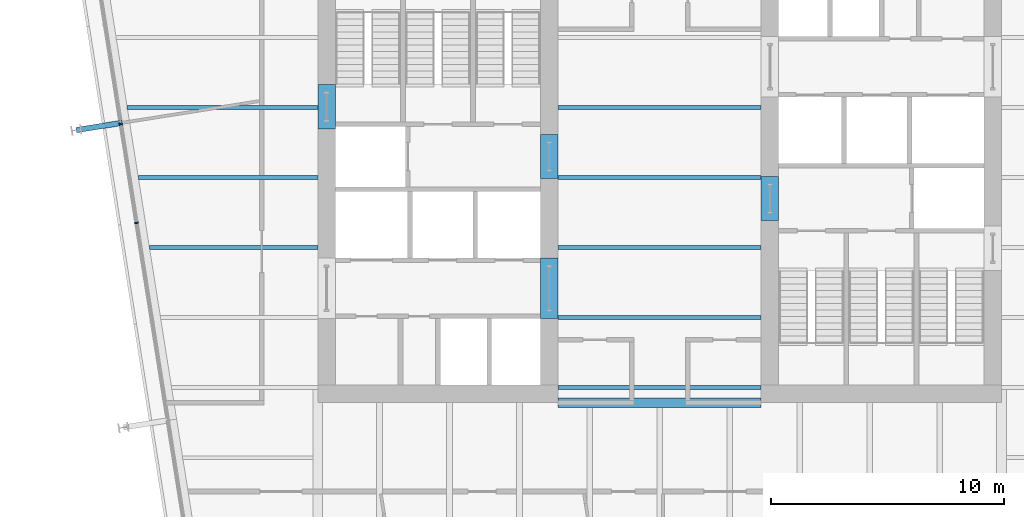
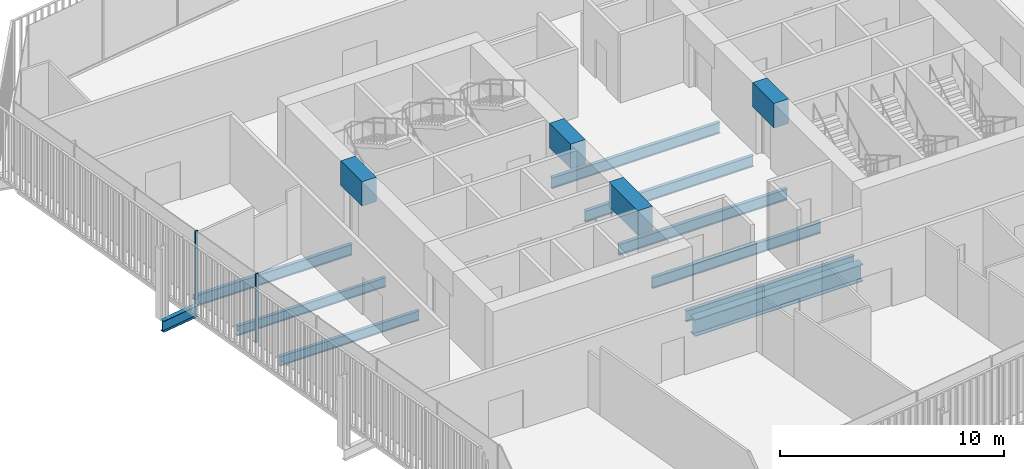
# One storey, part 6 of 21: 14 beams, 2 members, 1 element without a shape of its own.
"""IFC4 building model written with IfcOpenShell, lengths in metres."""

from ifc_helpers import new_model, si_unit, direction, frame, origin, origin_2d, place, context, subcontext, project, spatial, rectangle, i_section, extrude, material, layer, layer_set, material_profile, profile_set, type_object, element, aggregate, save


model = new_model("IFC4")

# Units and contexts
model_context = context("Model", 3, precision=1e-05, world=origin(), true_north=direction((0.0, 1.0)))
body_context = subcontext(model_context, "Body", "Model", "MODEL_VIEW")
ifc_project = project(units=[si_unit("LENGTHUNIT", "METRE"), si_unit("AREAUNIT", "SQUARE_METRE"), si_unit("VOLUMEUNIT", "CUBIC_METRE"), si_unit("PLANEANGLEUNIT", "RADIAN"), si_unit("MASSUNIT", "GRAM", prefix="KILO")], contexts=[model_context])

# Site, building, storey
site_placement = place(None, origin())
site = spatial("IfcSite", under=ifc_project, at=site_placement, CompositionType="ELEMENT")
building_placement = place(site_placement, origin())
building = spatial("IfcBuilding", under=site, at=building_placement, Name="Millrace Tower", CompositionType="ELEMENT")
storey_placement = place(building_placement, frame((0.0, 0.0, 141.199951171875)))
storey = spatial("IfcBuildingStorey", under=building, at=storey_placement, Name="L31", CompositionType="ELEMENT", Elevation=141.199951171875)

# Curtain wall, members
ifc_material_1 = material(Name="Aluminium and glass", Category="aluminium")
ifc_layer = layer(ifc_material_1, 0.14990234375)
ifc_layer_set = layer_set([ifc_layer], Name="Aluminium and glass")
curtain_wall_type = type_object("IfcCurtainWallType", Name="CW-1 office vision curtain wall", PredefinedType="NOTDEFINED", material=ifc_layer_set)
curtain_wall_placement = place(storey_placement, origin())
curtain_wall = element("IfcCurtainWall", 1, at=curtain_wall_placement, inside=storey, type_object=curtain_wall_type, Name="Curtain wall C-F08 L31", PredefinedType="NOTDEFINED")
ifc_material_2 = material(Name="Aluminium", Category="aluminium")
ifc_material_profile_1 = material_profile(ifc_material_2, rectangle(XDim=0.06494140625, YDim=0.14990234375, at=origin_2d()))
ifc_profile_set_1 = profile_set([ifc_material_profile_1], Name="Aluminium")
member_type = type_object("IfcMemberType", Name="CW-1 office vision curtain wall mullion", PredefinedType="MULLION", material=ifc_profile_set_1)
member_1_placement = place(storey_placement, frame((-23.088623046875, 2.300537109375, 0.14013671875), z_axis=(0.0, 0.0, 1.0), x_axis=(0.15643447328, -0.98768833929, 0.0)))
member_1 = element("IfcMember", 2, at=member_1_placement, type_object=member_type, Name="CW1 mullion C-F08.4", PredefinedType="MULLION", context=body_context, shape_type="SweptSolid", body=[
    extrude(rectangle(XDim=0.06494140625, YDim=0.14990234375, at=origin_2d()), origin(), (0.0, 0.0, 1.0), 3.760009765625),
])
member_2_placement = place(storey_placement, frame((-22.416015625, -1.946533203125, 0.14013671875), z_axis=(0.0, 0.0, 1.0), x_axis=(0.15643447328, -0.98768833929, 0.0)))
member_2 = element("IfcMember", 3, at=member_2_placement, type_object=member_type, Name="CW1 mullion C-F08.5", PredefinedType="MULLION", context=body_context, shape_type="SweptSolid", body=[
    extrude(rectangle(XDim=0.06494140625, YDim=0.14990234375, at=origin_2d()), origin(), (0.0, 0.0, 1.0), 3.760009765625),
])
aggregate(curtain_wall, [member_1, member_2])

# Beams
ifc_material_3 = material(Name="Concrete C70", Category="concrete")
ifc_material_profile_2 = material_profile(ifc_material_3, rectangle(XDim=0.75, YDim=1.340087890625, at=origin_2d()))
ifc_profile_set_2 = profile_set([ifc_material_profile_2], Name="Concrete C70")
beam_type_1 = type_object("IfcBeamType", Name="Coupling beam 750 x 1340 Concrete C70, 1300 opening", PredefinedType="BEAM", material=ifc_profile_set_2)
beam_1_placement = place(storey_placement, frame((-14.27490234375, 2.080078125, 3.070068359375), z_axis=(0.0, 1.0, 0.0), x_axis=(-1.0, 0.0, 0.0)))
element("IfcBeam", 4, at=beam_1_placement, inside=storey, type_object=beam_type_1, Name="Coupling beam W L31", PredefinedType="BEAM", context=body_context, shape_type="SweptSolid", body=[
    extrude(rectangle(XDim=0.75, YDim=1.340087890625, at=origin_2d()), origin(), (0.0, 0.0, 1.0), 1.89990234375),
])
for number, where, z_axis, x_axis, name in (
    (5, (-4.72509765625, -0.050048828125, 3.070068359375), (0.0, 1.0, 0.0), (-1.0, 0.0, 0.0), "Coupling beam W L31"),
    (6, (4.72509765625, 0.050048828125, 3.070068359375), (0.0, -1.0, 0.0), (1.0, 0.0, 0.0), "Coupling beam E L31"),
):
    element("IfcBeam", number, at=place(storey_placement, frame(where, z_axis=z_axis, x_axis=x_axis)), inside=storey, type_object=beam_type_1, Name=name, PredefinedType="BEAM", context=body_context, shape_type="SweptSolid", body=[
        extrude(rectangle(XDim=0.75, YDim=1.340087890625, at=origin_2d()), origin(), (0.0, 0.0, 1.0), 1.900146484375),
    ])
ifc_material_4 = material(Name="Concrete C70", Category="concrete")
ifc_material_profile_3 = material_profile(ifc_material_4, rectangle(XDim=0.75, YDim=1.340087890625, at=origin_2d()))
ifc_profile_set_3 = profile_set([ifc_material_profile_3], Name="Concrete C70")
beam_type_2 = type_object("IfcBeamType", Name="Coupling beam 750 x 1340 Concrete C70, 2000 opening", PredefinedType="BEAM", material=ifc_profile_set_3)
beam_2_placement = place(storey_placement, frame((-4.72509765625, -6.050048828125, 3.070068359375), z_axis=(0.0, 1.0, 0.0), x_axis=(-1.0, 0.0, 0.0)))
element("IfcBeam", 7, at=beam_2_placement, inside=storey, type_object=beam_type_2, Name="Coupling beam W L31", PredefinedType="BEAM", context=body_context, shape_type="SweptSolid", body=[
    extrude(rectangle(XDim=0.75, YDim=1.340087890625, at=origin_2d()), origin(), (0.0, 0.0, 1.0), 2.60009765625),
])
ifc_material_5 = material(Name="Steel ASTM A992 Grade 50", Category="steel")
ifc_material_profile_4 = material_profile(ifc_material_5, i_section(OverallWidth=0.1650390625, OverallDepth=0.52587890625, WebThickness=0.0087890625, FlangeThickness=0.011474609375, FilletRadius=0.0126953125, at=origin_2d()))
ifc_profile_set_4 = profile_set([ifc_material_profile_4], Name="Steel ASTM A992 Grade 50")
beam_type_3 = type_object("IfcBeamType", Name="Floor beam W21x44", PredefinedType="JOIST", material=ifc_profile_set_4)
beam_3_placement = place(storey_placement, frame((-21.862060546875, -3.0, -0.4228515625), z_axis=(1.0, 0.0, 0.0), x_axis=(0.0, 1.0, 0.0)))
element("IfcBeam", 8, at=beam_3_placement, inside=storey, type_object=beam_type_3, Name="BM-C-L31-S1-S017", PredefinedType="JOIST", context=body_context, shape_type="SweptSolid", body=[
    extrude(i_section(OverallWidth=0.1650390625, OverallDepth=0.52587890625, WebThickness=0.0087890625, FlangeThickness=0.011474609375, FilletRadius=0.0126953125, at=origin_2d()), origin(), (0.0, 0.0, 1.0), 7.212158203125),
])
beam_4_placement = place(storey_placement, frame((-22.337158203125, 0.0, -0.4228515625), z_axis=(1.0, 0.0, 0.0), x_axis=(0.0, 1.0, 0.0)))
element("IfcBeam", 9, at=beam_4_placement, inside=storey, type_object=beam_type_3, Name="BM-C-L31-S1-S020", PredefinedType="JOIST", context=body_context, shape_type="SweptSolid", body=[
    extrude(i_section(OverallWidth=0.1650390625, OverallDepth=0.52587890625, WebThickness=0.0087890625, FlangeThickness=0.011474609375, FilletRadius=0.0126953125, at=origin_2d()), origin(), (0.0, 0.0, 1.0), 7.687255859375),
])
ifc_material_6 = material(Name="Steel ASTM A992 Grade 50", Category="steel")
ifc_material_profile_5 = material_profile(ifc_material_6, i_section(OverallWidth=0.177978515625, OverallDepth=0.599365234375, WebThickness=0.010009765625, FlangeThickness=0.012939453125, FilletRadius=0.012939453125, at=origin_2d()))
ifc_profile_set_5 = profile_set([ifc_material_profile_5], Name="Steel ASTM A992 Grade 50")
beam_type_4 = type_object("IfcBeamType", Name="Floor beam W24x55", PredefinedType="JOIST", material=ifc_profile_set_5)
for number, where, z_axis, x_axis, name in (
    (10, (-4.35009765625, -9.0, -0.459716796875), (1.0, 0.0, 0.0), (0.0, 1.0, 0.0), "BM-C-L31-S1-S010"),
    (11, (-4.35009765625, -6.0, -0.459716796875), (1.0, 0.0, 0.0), (0.0, 1.0, 0.0), "BM-C-L31-S1-S013"),
    (12, (-4.35009765625, -3.0, -0.459716796875), (1.0, 0.0, 0.0), (0.0, 1.0, 0.0), "BM-C-L31-S1-S016"),
    (13, (-4.35009765625, 0.0, -0.459716796875), (1.0, 0.0, 0.0), (0.0, 1.0, 0.0), "BM-C-L31-S1-S019"),
    (14, (-4.35009765625, 3.0, -0.459716796875), (1.0, 0.0, 0.0), (0.0, 1.0, 0.0), "BM-C-L31-S1-S022"),
):
    element("IfcBeam", number, at=place(storey_placement, frame(where, z_axis=z_axis, x_axis=x_axis)), inside=storey, type_object=beam_type_4, Name=name, PredefinedType="JOIST", context=body_context, shape_type="SweptSolid", body=[
        extrude(i_section(OverallWidth=0.177978515625, OverallDepth=0.599365234375, WebThickness=0.010009765625, FlangeThickness=0.012939453125, FilletRadius=0.012939453125, at=origin_2d()), origin(), (0.0, 0.0, 1.0), 8.7001953125),
    ])
beam_5_placement = place(storey_placement, frame((-22.812255859375, 3.0, -0.459716796875), z_axis=(1.0, 0.0, 0.0), x_axis=(0.0, 1.0, 0.0)))
element("IfcBeam", 15, at=beam_5_placement, inside=storey, type_object=beam_type_4, Name="BM-C-L31-S1-S023", PredefinedType="JOIST", context=body_context, shape_type="SweptSolid", body=[
    extrude(i_section(OverallWidth=0.177978515625, OverallDepth=0.599365234375, WebThickness=0.010009765625, FlangeThickness=0.012939453125, FilletRadius=0.012939453125, at=origin_2d()), origin(), (0.0, 0.0, 1.0), 8.162353515625),
])
ifc_material_7 = material(Name="Steel ASTM A992 Grade 50", Category="steel")
ifc_material_profile_6 = material_profile(ifc_material_7, i_section(OverallWidth=0.419189453125, OverallDepth=0.927001953125, WebThickness=0.019287109375, FlangeThickness=0.031982421875, FilletRadius=0.024169921875, at=origin_2d()))
ifc_profile_set_6 = profile_set([ifc_material_profile_6], Name="Steel ASTM A992 Grade 50")
beam_type_5 = type_object("IfcBeamType", Name="Girder short span W36x231", PredefinedType="BEAM", material=ifc_profile_set_6)
beam_6_placement = place(storey_placement, frame((-4.35009765625, -9.64990234375, -0.62353515625), z_axis=(1.0, 0.0, 0.0), x_axis=(0.0, 1.0, 0.0)))
element("IfcBeam", 16, at=beam_6_placement, inside=storey, type_object=beam_type_5, Name="BM-C-L31-S1-G062", PredefinedType="BEAM", context=body_context, shape_type="SweptSolid", body=[
    extrude(i_section(OverallWidth=0.419189453125, OverallDepth=0.927001953125, WebThickness=0.019287109375, FlangeThickness=0.031982421875, FilletRadius=0.024169921875, at=origin_2d()), origin(), (0.0, 0.0, 1.0), 8.7001953125),
])
ifc_material_8 = material(Name="Steel ASTM A992 Grade 50", Category="steel")
ifc_material_profile_7 = material_profile(ifc_material_8, i_section(OverallWidth=0.23046875, OverallDepth=0.6171875, WebThickness=0.01318359375, FlangeThickness=0.022216796875, FilletRadius=0.012939453125, at=origin_2d()))
ifc_profile_set_7 = profile_set([ifc_material_profile_7], Name="Steel ASTM A992 Grade 50")
beam_type_6 = type_object("IfcBeamType", Name="Link beam W24x94", PredefinedType="BEAM", material=ifc_profile_set_7)
beam_7_placement = place(storey_placement, frame((-23.019775390625, 2.344482421875, -0.468505859375), z_axis=(-0.987678691416, -0.156495375404, 0.0), x_axis=(0.156495375404, -0.987678691416, 0.0)))
element("IfcBeam", 17, at=beam_7_placement, inside=storey, type_object=beam_type_6, Name="LNK-C-L31-S1-03", PredefinedType="BEAM", context=body_context, shape_type="SweptSolid", body=[
    extrude(i_section(OverallWidth=0.23046875, OverallDepth=0.6171875, WebThickness=0.01318359375, FlangeThickness=0.022216796875, FilletRadius=0.012939453125, at=origin_2d()), origin(), (0.0, 0.0, 1.0), 2.0),
])

save(model, "model.ifc")
